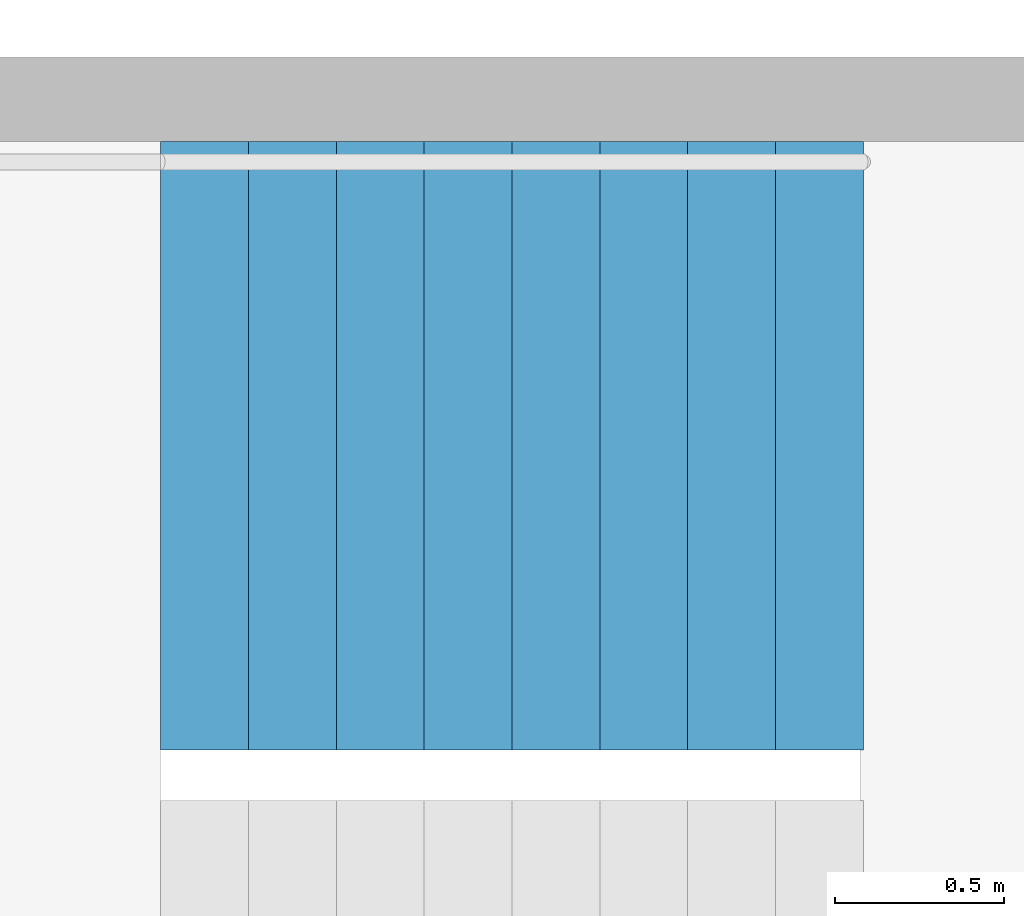
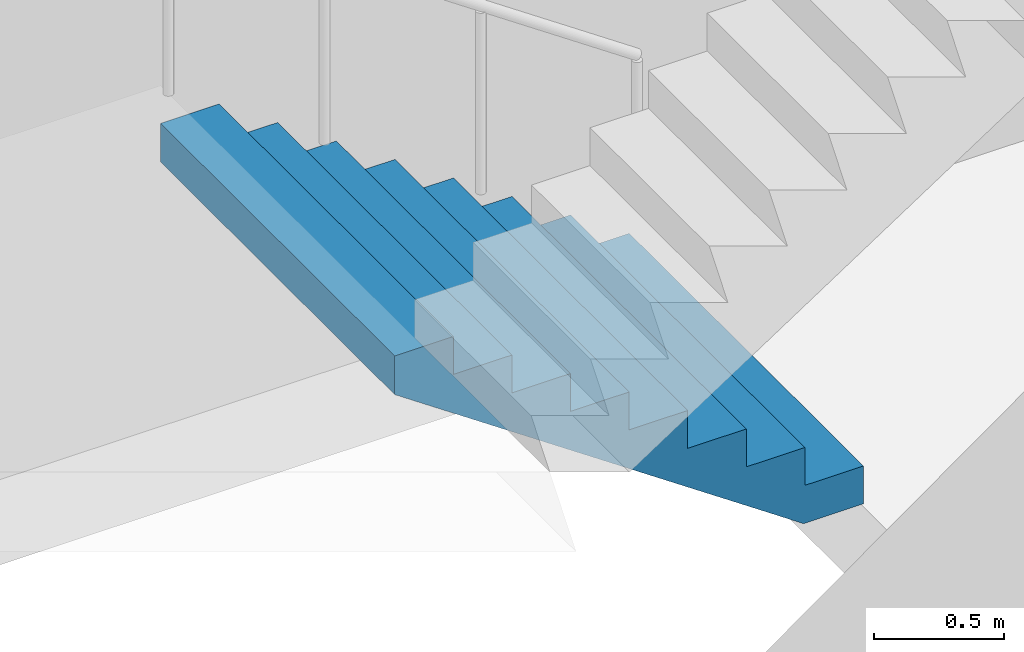
# One storey, part 21 of 28: 1 stair flight, 1 element without a shape of its own.
"""IFC4 building model written with IfcOpenShell, lengths in metres."""

from ifc_helpers import new_model, si_unit, direction, frame, origin, place, context, subcontext, project, spatial, triangles, material, type_object, element, aggregate, save


model = new_model("IFC4")

# Units and contexts
model_context = context("Model", 3, precision=1e-05, world=origin(), true_north=direction((0.0, 1.0)))
body_context = subcontext(model_context, "Body", "Model", "MODEL_VIEW")
ifc_project = project(units=[si_unit("LENGTHUNIT", "METRE"), si_unit("AREAUNIT", "SQUARE_METRE"), si_unit("VOLUMEUNIT", "CUBIC_METRE"), si_unit("PLANEANGLEUNIT", "RADIAN"), si_unit("MASSUNIT", "GRAM", prefix="KILO")], contexts=[model_context])

# Site, building, storey
site_placement = place(None, origin())
site = spatial("IfcSite", under=ifc_project, at=site_placement, CompositionType="ELEMENT")
building_placement = place(site_placement, origin())
building = spatial("IfcBuilding", under=site, at=building_placement, Name="Hakoniwa Tower and Hamabe Station Hall", CompositionType="ELEMENT")
storey_placement = place(building_placement, frame((0.0, 0.0, 35.800048828125)))
storey = spatial("IfcBuildingStorey", under=building, at=storey_placement, Name="L09", CompositionType="ELEMENT", Elevation=35.800048828125)

# Stair, stair flight
ifc_material_1 = material(Name="Concrete C40", Category="concrete")
stair_type = type_object("IfcStairType", Name="ESCAPE STAIR 1800", PredefinedType="HALF_TURN_STAIR", material=ifc_material_1)
stair_placement = place(storey_placement, origin())
stair = element("IfcStair", 1, at=stair_placement, inside=storey, type_object=stair_type, Name="Escape stair ST-2 L09", PredefinedType="HALF_TURN_STAIR")
ifc_material_2 = material(Name="Concrete C40", Category="concrete")
stair_flight_type = type_object("IfcStairFlightType", Name="STAIR FLIGHT 1800", PredefinedType="STRAIGHT", material=ifc_material_2)
stair_flight_placement = place(storey_placement, frame((-23.39990234375, -4.64990234375, 0.0), z_axis=(0.0, 0.0, 1.0), x_axis=(-1.0, 0.0, 0.0)))
stair_flight = element("IfcStairFlight", 2, at=stair_flight_placement, type_object=stair_flight_type, Name="ST-2 flight 1", NumberOfRisers=9, NumberOfTreads=8, PredefinedType="STRAIGHT", RiserHeight=0.177777778, TreadLength=0.26, context=body_context, shape_type="Tessellation", body=[
    triangles([(0.0, 0.89990234375, 0.0), (0.260009765625, 0.89990234375, 0.0), (0.265625, 0.89990234375, 0.0), (0.52001953125, 0.89990234375, 0.174072265625), (0.780029296875, 0.89990234375, 0.351806640625), (1.0400390625, 0.89990234375, 0.529541015625), (1.300048828125, 0.89990234375, 0.707275390625), (1.56005859375, 0.89990234375, 0.885009765625), (1.820068359375, 0.89990234375, 1.062744140625), (2.080078125, 0.89990234375, 1.24072265625), (2.080078125, 0.89990234375, 1.422119140625), (1.820068359375, 0.89990234375, 1.422119140625), (1.820068359375, 0.89990234375, 1.244384765625), (1.56005859375, 0.89990234375, 1.244384765625), (1.56005859375, 0.89990234375, 1.066650390625), (1.300048828125, 0.89990234375, 1.066650390625), (1.300048828125, 0.89990234375, 0.888916015625), (1.0400390625, 0.89990234375, 0.888916015625), (1.0400390625, 0.89990234375, 0.711181640625), (0.780029296875, 0.89990234375, 0.711181640625), (0.780029296875, 0.89990234375, 0.533447265625), (0.52001953125, 0.89990234375, 0.533447265625), (0.52001953125, 0.89990234375, 0.35546875), (0.265625, 0.89990234375, 0.35546875), (0.260009765625, 0.89990234375, 0.35546875), (0.260009765625, 0.89990234375, 0.177734375), (0.0, 0.89990234375, 0.177734375), (0.0, 0.06005859375, 0.0), (0.260009765625, 0.06005859375, 0.0), (0.265625, 0.06005859375, 0.0), (0.52001953125, 0.06005859375, 0.174072265625), (0.780029296875, 0.06005859375, 0.351806640625), (1.0400390625, 0.06005859375, 0.529541015625), (1.300048828125, 0.06005859375, 0.707275390625), (1.56005859375, 0.06005859375, 0.885009765625), (1.820068359375, 0.06005859375, 1.062744140625), (2.080078125, 0.06005859375, 1.24072265625), (2.080078125, 0.06005859375, 1.422119140625), (1.820068359375, 0.06005859375, 1.422119140625), (1.820068359375, 0.06005859375, 1.244384765625), (1.56005859375, 0.06005859375, 1.244384765625), (1.56005859375, 0.06005859375, 1.066650390625), (1.300048828125, 0.06005859375, 1.066650390625), (1.300048828125, 0.06005859375, 0.888916015625), (1.0400390625, 0.06005859375, 0.888916015625), (1.0400390625, 0.06005859375, 0.711181640625), (0.780029296875, 0.06005859375, 0.711181640625), (0.780029296875, 0.06005859375, 0.533447265625), (0.52001953125, 0.06005859375, 0.533447265625), (0.52001953125, 0.06005859375, 0.35546875), (0.265625, 0.06005859375, 0.35546875), (0.260009765625, 0.06005859375, 0.35546875), (0.260009765625, 0.06005859375, 0.177734375), (0.0, 0.06005859375, 0.177734375), (0.0, 0.04296875, 0.0), (0.260009765625, 0.04296875, 0.0), (0.265625, 0.04296875, 0.0), (0.52001953125, 0.04296875, 0.174072265625), (0.780029296875, 0.04296875, 0.351806640625), (1.0400390625, 0.04296875, 0.529541015625), (1.300048828125, 0.04296875, 0.707275390625), (1.56005859375, 0.04296875, 0.885009765625), (1.820068359375, 0.04296875, 1.062744140625), (2.080078125, 0.04296875, 1.24072265625), (2.080078125, 0.04296875, 1.422119140625), (1.820068359375, 0.04296875, 1.422119140625), (1.820068359375, 0.04296875, 1.244384765625), (1.56005859375, 0.04296875, 1.244384765625), (1.56005859375, 0.04296875, 1.066650390625), (1.300048828125, 0.04296875, 1.066650390625), (1.300048828125, 0.04296875, 0.888916015625), (1.0400390625, 0.04296875, 0.888916015625), (1.0400390625, 0.04296875, 0.711181640625), (0.780029296875, 0.04296875, 0.711181640625), (0.780029296875, 0.04296875, 0.533447265625), (0.52001953125, 0.04296875, 0.533447265625), (0.52001953125, 0.04296875, 0.35546875), (0.265625, 0.04296875, 0.35546875), (0.260009765625, 0.04296875, 0.35546875), (0.260009765625, 0.04296875, 0.177734375), (0.0, 0.04296875, 0.177734375), (0.0, 0.025634765625, 0.0), (0.260009765625, 0.025634765625, 0.0), (0.265625, 0.025634765625, 0.0), (0.52001953125, 0.025634765625, 0.174072265625), (0.780029296875, 0.025634765625, 0.351806640625), (1.0400390625, 0.025634765625, 0.529541015625), (1.300048828125, 0.025634765625, 0.707275390625), (1.56005859375, 0.025634765625, 0.885009765625), (1.820068359375, 0.025634765625, 1.062744140625), (2.080078125, 0.025634765625, 1.24072265625), (2.080078125, 0.025634765625, 1.422119140625), (1.820068359375, 0.025634765625, 1.422119140625), (1.820068359375, 0.025634765625, 1.244384765625), (1.56005859375, 0.025634765625, 1.244384765625), (1.56005859375, 0.025634765625, 1.066650390625), (1.300048828125, 0.025634765625, 1.066650390625), (1.300048828125, 0.025634765625, 0.888916015625), (1.0400390625, 0.025634765625, 0.888916015625), (1.0400390625, 0.025634765625, 0.711181640625), (0.780029296875, 0.025634765625, 0.711181640625), (0.780029296875, 0.025634765625, 0.533447265625), (0.52001953125, 0.025634765625, 0.533447265625), (0.52001953125, 0.025634765625, 0.35546875), (0.265625, 0.025634765625, 0.35546875), (0.260009765625, 0.025634765625, 0.35546875), (0.260009765625, 0.025634765625, 0.177734375), (0.0, 0.025634765625, 0.177734375), (0.0, 0.008544921875, 0.0), (0.260009765625, 0.008544921875, 0.0), (0.265625, 0.008544921875, 0.0), (0.52001953125, 0.008544921875, 0.174072265625), (0.780029296875, 0.008544921875, 0.351806640625), (1.0400390625, 0.008544921875, 0.529541015625), (1.300048828125, 0.008544921875, 0.707275390625), (1.56005859375, 0.008544921875, 0.885009765625), (1.820068359375, 0.008544921875, 1.062744140625), (2.080078125, 0.008544921875, 1.24072265625), (2.080078125, 0.008544921875, 1.422119140625), (1.820068359375, 0.008544921875, 1.422119140625), (1.820068359375, 0.008544921875, 1.244384765625), (1.56005859375, 0.008544921875, 1.244384765625), (1.56005859375, 0.008544921875, 1.066650390625), (1.300048828125, 0.008544921875, 1.066650390625), (1.300048828125, 0.008544921875, 0.888916015625), (1.0400390625, 0.008544921875, 0.888916015625), (1.0400390625, 0.008544921875, 0.711181640625), (0.780029296875, 0.008544921875, 0.711181640625), (0.780029296875, 0.008544921875, 0.533447265625), (0.52001953125, 0.008544921875, 0.533447265625), (0.52001953125, 0.008544921875, 0.35546875), (0.265625, 0.008544921875, 0.35546875), (0.260009765625, 0.008544921875, 0.35546875), (0.260009765625, 0.008544921875, 0.177734375), (0.0, 0.008544921875, 0.177734375), (0.0, -0.008544921875, 0.0), (0.260009765625, -0.008544921875, 0.0), (0.265625, -0.008544921875, 0.0), (0.52001953125, -0.008544921875, 0.174072265625), (0.780029296875, -0.008544921875, 0.351806640625), (1.0400390625, -0.008544921875, 0.529541015625), (1.300048828125, -0.008544921875, 0.707275390625), (1.56005859375, -0.008544921875, 0.885009765625), (1.820068359375, -0.008544921875, 1.062744140625), (2.080078125, -0.008544921875, 1.24072265625), (2.080078125, -0.008544921875, 1.422119140625), (1.820068359375, -0.008544921875, 1.422119140625), (1.820068359375, -0.008544921875, 1.244384765625), (1.56005859375, -0.008544921875, 1.244384765625), (1.56005859375, -0.008544921875, 1.066650390625), (1.300048828125, -0.008544921875, 1.066650390625), (1.300048828125, -0.008544921875, 0.888916015625), (1.0400390625, -0.008544921875, 0.888916015625), (1.0400390625, -0.008544921875, 0.711181640625), (0.780029296875, -0.008544921875, 0.711181640625), (0.780029296875, -0.008544921875, 0.533447265625), (0.52001953125, -0.008544921875, 0.533447265625), (0.52001953125, -0.008544921875, 0.35546875), (0.265625, -0.008544921875, 0.35546875), (0.260009765625, -0.008544921875, 0.35546875), (0.260009765625, -0.008544921875, 0.177734375), (0.0, -0.008544921875, 0.177734375), (0.0, -0.025634765625, 0.0), (0.260009765625, -0.025634765625, 0.0), (0.265625, -0.025634765625, 0.0), (0.52001953125, -0.025634765625, 0.174072265625), (0.780029296875, -0.025634765625, 0.351806640625), (1.0400390625, -0.025634765625, 0.529541015625), (1.300048828125, -0.025634765625, 0.707275390625), (1.56005859375, -0.025634765625, 0.885009765625), (1.820068359375, -0.025634765625, 1.062744140625), (2.080078125, -0.025634765625, 1.24072265625), (2.080078125, -0.025634765625, 1.422119140625), (1.820068359375, -0.025634765625, 1.422119140625), (1.820068359375, -0.025634765625, 1.244384765625), (1.56005859375, -0.025634765625, 1.244384765625), (1.56005859375, -0.025634765625, 1.066650390625), (1.300048828125, -0.025634765625, 1.066650390625), (1.300048828125, -0.025634765625, 0.888916015625), (1.0400390625, -0.025634765625, 0.888916015625), (1.0400390625, -0.025634765625, 0.711181640625), (0.780029296875, -0.025634765625, 0.711181640625), (0.780029296875, -0.025634765625, 0.533447265625), (0.52001953125, -0.025634765625, 0.533447265625), (0.52001953125, -0.025634765625, 0.35546875), (0.265625, -0.025634765625, 0.35546875), (0.260009765625, -0.025634765625, 0.35546875), (0.260009765625, -0.025634765625, 0.177734375), (0.0, -0.025634765625, 0.177734375), (0.0, -0.04296875, 0.0), (0.260009765625, -0.04296875, 0.0), (0.265625, -0.04296875, 0.0), (0.52001953125, -0.04296875, 0.174072265625), (0.780029296875, -0.04296875, 0.351806640625), (1.0400390625, -0.04296875, 0.529541015625), (1.300048828125, -0.04296875, 0.707275390625), (1.56005859375, -0.04296875, 0.885009765625), (1.820068359375, -0.04296875, 1.062744140625), (2.080078125, -0.04296875, 1.24072265625), (2.080078125, -0.04296875, 1.422119140625), (1.820068359375, -0.04296875, 1.422119140625), (1.820068359375, -0.04296875, 1.244384765625), (1.56005859375, -0.04296875, 1.244384765625), (1.56005859375, -0.04296875, 1.066650390625), (1.300048828125, -0.04296875, 1.066650390625), (1.300048828125, -0.04296875, 0.888916015625), (1.0400390625, -0.04296875, 0.888916015625), (1.0400390625, -0.04296875, 0.711181640625), (0.780029296875, -0.04296875, 0.711181640625), (0.780029296875, -0.04296875, 0.533447265625), (0.52001953125, -0.04296875, 0.533447265625), (0.52001953125, -0.04296875, 0.35546875), (0.265625, -0.04296875, 0.35546875), (0.260009765625, -0.04296875, 0.35546875), (0.260009765625, -0.04296875, 0.177734375), (0.0, -0.04296875, 0.177734375), (0.0, -0.06005859375, 0.0), (0.260009765625, -0.06005859375, 0.0), (0.265625, -0.06005859375, 0.0), (0.52001953125, -0.06005859375, 0.174072265625), (0.780029296875, -0.06005859375, 0.351806640625), (1.0400390625, -0.06005859375, 0.529541015625), (1.300048828125, -0.06005859375, 0.707275390625), (1.56005859375, -0.06005859375, 0.885009765625), (1.820068359375, -0.06005859375, 1.062744140625), (2.080078125, -0.06005859375, 1.24072265625), (2.080078125, -0.06005859375, 1.422119140625), (1.820068359375, -0.06005859375, 1.422119140625), (1.820068359375, -0.06005859375, 1.244384765625), (1.56005859375, -0.06005859375, 1.244384765625), (1.56005859375, -0.06005859375, 1.066650390625), (1.300048828125, -0.06005859375, 1.066650390625), (1.300048828125, -0.06005859375, 0.888916015625), (1.0400390625, -0.06005859375, 0.888916015625), (1.0400390625, -0.06005859375, 0.711181640625), (0.780029296875, -0.06005859375, 0.711181640625), (0.780029296875, -0.06005859375, 0.533447265625), (0.52001953125, -0.06005859375, 0.533447265625), (0.52001953125, -0.06005859375, 0.35546875), (0.265625, -0.06005859375, 0.35546875), (0.260009765625, -0.06005859375, 0.35546875), (0.260009765625, -0.06005859375, 0.177734375), (0.0, -0.06005859375, 0.177734375), (0.0, -0.89990234375, 0.0), (0.260009765625, -0.89990234375, 0.0), (0.265625, -0.89990234375, 0.0), (0.52001953125, -0.89990234375, 0.174072265625), (0.780029296875, -0.89990234375, 0.351806640625), (1.0400390625, -0.89990234375, 0.529541015625), (1.300048828125, -0.89990234375, 0.707275390625), (1.56005859375, -0.89990234375, 0.885009765625), (1.820068359375, -0.89990234375, 1.062744140625), (2.080078125, -0.89990234375, 1.24072265625), (2.080078125, -0.89990234375, 1.422119140625), (1.820068359375, -0.89990234375, 1.422119140625), (1.820068359375, -0.89990234375, 1.244384765625), (1.56005859375, -0.89990234375, 1.244384765625), (1.56005859375, -0.89990234375, 1.066650390625), (1.300048828125, -0.89990234375, 1.066650390625), (1.300048828125, -0.89990234375, 0.888916015625), (1.0400390625, -0.89990234375, 0.888916015625), (1.0400390625, -0.89990234375, 0.711181640625), (0.780029296875, -0.89990234375, 0.711181640625), (0.780029296875, -0.89990234375, 0.533447265625), (0.52001953125, -0.89990234375, 0.533447265625), (0.52001953125, -0.89990234375, 0.35546875), (0.265625, -0.89990234375, 0.35546875), (0.260009765625, -0.89990234375, 0.35546875), (0.260009765625, -0.89990234375, 0.177734375), (0.0, -0.89990234375, 0.177734375)], [[2, 27, 26], [245, 269, 270], [2, 1, 27], [245, 270, 244], [3, 25, 24], [246, 267, 268], [3, 26, 25], [246, 268, 269], [3, 2, 26], [246, 269, 245], [4, 24, 23], [247, 266, 267], [4, 3, 24], [247, 267, 246], [5, 22, 21], [248, 264, 265], [5, 23, 22], [248, 265, 266], [5, 4, 23], [248, 266, 247], [6, 20, 19], [249, 262, 263], [6, 21, 20], [249, 263, 264], [6, 5, 21], [249, 264, 248], [7, 18, 17], [250, 260, 261], [7, 19, 18], [250, 261, 262], [7, 6, 19], [250, 262, 249], [8, 16, 15], [251, 258, 259], [8, 17, 16], [251, 259, 260], [8, 7, 17], [251, 260, 250], [9, 14, 13], [252, 256, 257], [9, 15, 14], [252, 257, 258], [9, 8, 15], [252, 258, 251], [10, 12, 11], [253, 254, 255], [10, 13, 12], [253, 255, 256], [10, 9, 13], [253, 256, 252], [1, 2, 29], [1, 29, 28], [28, 29, 56], [28, 56, 55], [55, 56, 83], [55, 83, 82], [82, 83, 110], [82, 110, 109], [109, 110, 137], [109, 137, 136], [136, 137, 164], [136, 164, 163], [163, 164, 191], [163, 191, 190], [190, 191, 218], [190, 218, 217], [217, 218, 245], [217, 245, 244], [2, 3, 30], [2, 30, 29], [29, 30, 57], [29, 57, 56], [56, 57, 84], [56, 84, 83], [83, 84, 111], [83, 111, 110], [110, 111, 138], [110, 138, 137], [137, 138, 165], [137, 165, 164], [164, 165, 192], [164, 192, 191], [191, 192, 219], [191, 219, 218], [218, 219, 246], [218, 246, 245], [3, 4, 31], [3, 31, 30], [30, 31, 58], [30, 58, 57], [57, 58, 85], [57, 85, 84], [84, 85, 112], [84, 112, 111], [111, 112, 139], [111, 139, 138], [138, 139, 166], [138, 166, 165], [165, 166, 193], [165, 193, 192], [192, 193, 220], [192, 220, 219], [219, 220, 247], [219, 247, 246], [4, 5, 32], [4, 32, 31], [31, 32, 59], [31, 59, 58], [58, 59, 86], [58, 86, 85], [85, 86, 113], [85, 113, 112], [112, 113, 140], [112, 140, 139], [139, 140, 167], [139, 167, 166], [166, 167, 194], [166, 194, 193], [193, 194, 221], [193, 221, 220], [220, 221, 248], [220, 248, 247], [5, 6, 33], [5, 33, 32], [32, 33, 60], [32, 60, 59], [59, 60, 87], [59, 87, 86], [86, 87, 114], [86, 114, 113], [113, 114, 141], [113, 141, 140], [140, 141, 168], [140, 168, 167], [167, 168, 195], [167, 195, 194], [194, 195, 222], [194, 222, 221], [221, 222, 249], [221, 249, 248], [6, 7, 34], [6, 34, 33], [33, 34, 61], [33, 61, 60], [60, 61, 88], [60, 88, 87], [87, 88, 115], [87, 115, 114], [114, 115, 142], [114, 142, 141], [141, 142, 169], [141, 169, 168], [168, 169, 196], [168, 196, 195], [195, 196, 223], [195, 223, 222], [222, 223, 250], [222, 250, 249], [7, 8, 35], [7, 35, 34], [34, 35, 62], [34, 62, 61], [61, 62, 89], [61, 89, 88], [88, 89, 116], [88, 116, 115], [115, 116, 143], [115, 143, 142], [142, 143, 170], [142, 170, 169], [169, 170, 197], [169, 197, 196], [196, 197, 224], [196, 224, 223], [223, 224, 251], [223, 251, 250], [8, 9, 36], [8, 36, 35], [35, 36, 63], [35, 63, 62], [62, 63, 90], [62, 90, 89], [89, 90, 117], [89, 117, 116], [116, 117, 144], [116, 144, 143], [143, 144, 171], [143, 171, 170], [170, 171, 198], [170, 198, 197], [197, 198, 225], [197, 225, 224], [224, 225, 252], [224, 252, 251], [9, 10, 37], [9, 37, 36], [36, 37, 64], [36, 64, 63], [63, 64, 91], [63, 91, 90], [90, 91, 118], [90, 118, 117], [117, 118, 145], [117, 145, 144], [144, 145, 172], [144, 172, 171], [171, 172, 199], [171, 199, 198], [198, 199, 226], [198, 226, 225], [225, 226, 253], [225, 253, 252], [10, 11, 38], [10, 38, 37], [37, 38, 65], [37, 65, 64], [64, 65, 92], [64, 92, 91], [91, 92, 119], [91, 119, 118], [118, 119, 146], [118, 146, 145], [145, 146, 173], [145, 173, 172], [172, 173, 200], [172, 200, 199], [199, 200, 227], [199, 227, 226], [226, 227, 254], [226, 254, 253], [11, 12, 39], [11, 39, 38], [38, 39, 66], [38, 66, 65], [65, 66, 93], [65, 93, 92], [92, 93, 120], [92, 120, 119], [119, 120, 147], [119, 147, 146], [146, 147, 174], [146, 174, 173], [173, 174, 201], [173, 201, 200], [200, 201, 228], [200, 228, 227], [227, 228, 255], [227, 255, 254], [12, 13, 40], [12, 40, 39], [39, 40, 67], [39, 67, 66], [66, 67, 94], [66, 94, 93], [93, 94, 121], [93, 121, 120], [120, 121, 148], [120, 148, 147], [147, 148, 175], [147, 175, 174], [174, 175, 202], [174, 202, 201], [201, 202, 229], [201, 229, 228], [228, 229, 256], [228, 256, 255], [13, 14, 41], [13, 41, 40], [40, 41, 68], [40, 68, 67], [67, 68, 95], [67, 95, 94], [94, 95, 122], [94, 122, 121], [121, 122, 149], [121, 149, 148], [148, 149, 176], [148, 176, 175], [175, 176, 203], [175, 203, 202], [202, 203, 230], [202, 230, 229], [229, 230, 257], [229, 257, 256], [14, 15, 42], [14, 42, 41], [41, 42, 69], [41, 69, 68], [68, 69, 96], [68, 96, 95], [95, 96, 123], [95, 123, 122], [122, 123, 150], [122, 150, 149], [149, 150, 177], [149, 177, 176], [176, 177, 204], [176, 204, 203], [203, 204, 231], [203, 231, 230], [230, 231, 258], [230, 258, 257], [15, 16, 43], [15, 43, 42], [42, 43, 70], [42, 70, 69], [69, 70, 97], [69, 97, 96], [96, 97, 124], [96, 124, 123], [123, 124, 151], [123, 151, 150], [150, 151, 178], [150, 178, 177], [177, 178, 205], [177, 205, 204], [204, 205, 232], [204, 232, 231], [231, 232, 259], [231, 259, 258], [16, 17, 44], [16, 44, 43], [43, 44, 71], [43, 71, 70], [70, 71, 98], [70, 98, 97], [97, 98, 125], [97, 125, 124], [124, 125, 152], [124, 152, 151], [151, 152, 179], [151, 179, 178], [178, 179, 206], [178, 206, 205], [205, 206, 233], [205, 233, 232], [232, 233, 260], [232, 260, 259], [17, 18, 45], [17, 45, 44], [44, 45, 72], [44, 72, 71], [71, 72, 99], [71, 99, 98], [98, 99, 126], [98, 126, 125], [125, 126, 153], [125, 153, 152], [152, 153, 180], [152, 180, 179], [179, 180, 207], [179, 207, 206], [206, 207, 234], [206, 234, 233], [233, 234, 261], [233, 261, 260], [18, 19, 46], [18, 46, 45], [45, 46, 73], [45, 73, 72], [72, 73, 100], [72, 100, 99], [99, 100, 127], [99, 127, 126], [126, 127, 154], [126, 154, 153], [153, 154, 181], [153, 181, 180], [180, 181, 208], [180, 208, 207], [207, 208, 235], [207, 235, 234], [234, 235, 262], [234, 262, 261], [19, 20, 47], [19, 47, 46], [46, 47, 74], [46, 74, 73], [73, 74, 101], [73, 101, 100], [100, 101, 128], [100, 128, 127], [127, 128, 155], [127, 155, 154], [154, 155, 182], [154, 182, 181], [181, 182, 209], [181, 209, 208], [208, 209, 236], [208, 236, 235], [235, 236, 263], [235, 263, 262], [20, 21, 48], [20, 48, 47], [47, 48, 75], [47, 75, 74], [74, 75, 102], [74, 102, 101], [101, 102, 129], [101, 129, 128], [128, 129, 156], [128, 156, 155], [155, 156, 183], [155, 183, 182], [182, 183, 210], [182, 210, 209], [209, 210, 237], [209, 237, 236], [236, 237, 264], [236, 264, 263], [21, 22, 49], [21, 49, 48], [48, 49, 76], [48, 76, 75], [75, 76, 103], [75, 103, 102], [102, 103, 130], [102, 130, 129], [129, 130, 157], [129, 157, 156], [156, 157, 184], [156, 184, 183], [183, 184, 211], [183, 211, 210], [210, 211, 238], [210, 238, 237], [237, 238, 265], [237, 265, 264], [22, 23, 50], [22, 50, 49], [49, 50, 77], [49, 77, 76], [76, 77, 104], [76, 104, 103], [103, 104, 131], [103, 131, 130], [130, 131, 158], [130, 158, 157], [157, 158, 185], [157, 185, 184], [184, 185, 212], [184, 212, 211], [211, 212, 239], [211, 239, 238], [238, 239, 266], [238, 266, 265], [23, 24, 51], [23, 51, 50], [50, 51, 78], [50, 78, 77], [77, 78, 105], [77, 105, 104], [104, 105, 132], [104, 132, 131], [131, 132, 159], [131, 159, 158], [158, 159, 186], [158, 186, 185], [185, 186, 213], [185, 213, 212], [212, 213, 240], [212, 240, 239], [239, 240, 267], [239, 267, 266], [24, 25, 52], [24, 52, 51], [51, 52, 79], [51, 79, 78], [78, 79, 106], [78, 106, 105], [105, 106, 133], [105, 133, 132], [132, 133, 160], [132, 160, 159], [159, 160, 187], [159, 187, 186], [186, 187, 214], [186, 214, 213], [213, 214, 241], [213, 241, 240], [240, 241, 268], [240, 268, 267], [25, 26, 53], [25, 53, 52], [52, 53, 80], [52, 80, 79], [79, 80, 107], [79, 107, 106], [106, 107, 134], [106, 134, 133], [133, 134, 161], [133, 161, 160], [160, 161, 188], [160, 188, 187], [187, 188, 215], [187, 215, 214], [214, 215, 242], [214, 242, 241], [241, 242, 269], [241, 269, 268], [26, 27, 54], [26, 54, 53], [53, 54, 81], [53, 81, 80], [80, 81, 108], [80, 108, 107], [107, 108, 135], [107, 135, 134], [134, 135, 162], [134, 162, 161], [161, 162, 189], [161, 189, 188], [188, 189, 216], [188, 216, 215], [215, 216, 243], [215, 243, 242], [242, 243, 270], [242, 270, 269], [27, 1, 28], [27, 28, 54], [54, 28, 55], [54, 55, 81], [81, 55, 82], [81, 82, 108], [108, 82, 109], [108, 109, 135], [135, 109, 136], [135, 136, 162], [162, 136, 163], [162, 163, 189], [189, 163, 190], [189, 190, 216], [216, 190, 217], [216, 217, 243], [243, 217, 244], [243, 244, 270]], closed=True),
])
aggregate(stair, [stair_flight])

save(model, "model.ifc")
